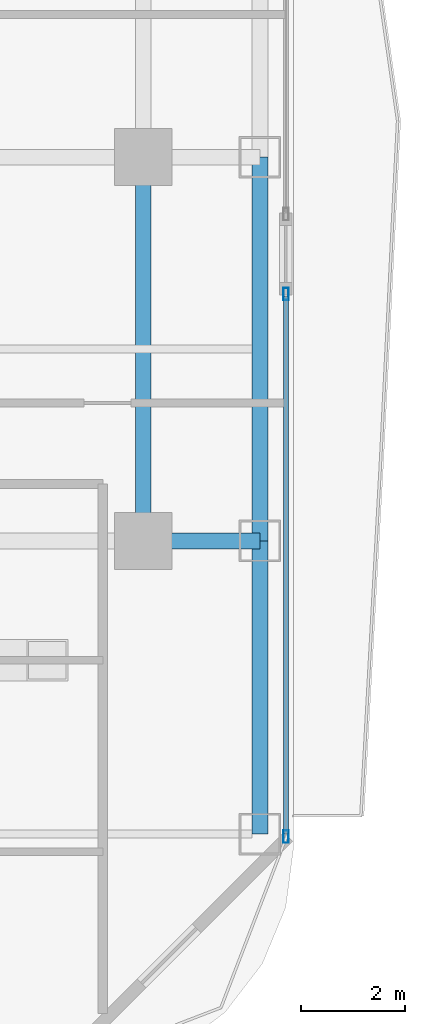
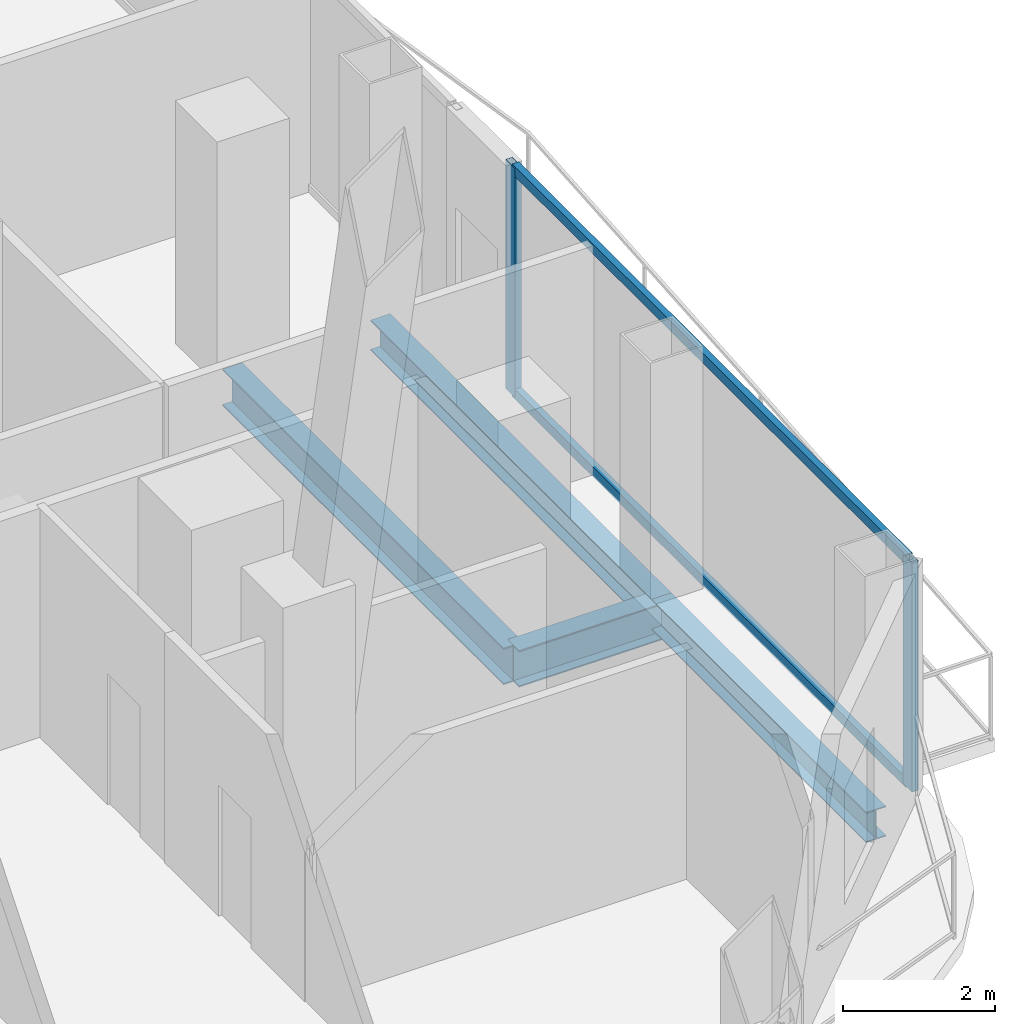
# One storey, part 10 of 33: 4 beams, 4 members, 1 element without a shape of its own.
"""IFC4 building model written with IfcOpenShell, lengths in metres."""

from ifc_helpers import new_model, si_unit, direction, frame, origin, origin_2d, place, context, subcontext, project, spatial, hollow_rectangle, i_section, extrude, material, layer, layer_set, material_profile, profile_set, type_object, element, aggregate, save


model = new_model("IFC4")

# Units and contexts
model_context = context("Model", 3, precision=1e-05, world=origin(), true_north=direction((0.0, 1.0)))
body_context = subcontext(model_context, "Body", "Model", "MODEL_VIEW")
ifc_project = project(units=[si_unit("LENGTHUNIT", "METRE"), si_unit("AREAUNIT", "SQUARE_METRE"), si_unit("VOLUMEUNIT", "CUBIC_METRE"), si_unit("PLANEANGLEUNIT", "RADIAN"), si_unit("MASSUNIT", "GRAM", prefix="KILO")], contexts=[model_context])

# Site, building, storey
site_placement = place(None, origin())
site = spatial("IfcSite", under=ifc_project, at=site_placement, CompositionType="ELEMENT")
building_placement = place(site_placement, origin())
building = spatial("IfcBuilding", under=site, at=building_placement, Name="Khorvyn Point Tower", CompositionType="ELEMENT")
storey_placement = place(building_placement, frame((0.0, 0.0, 65.699951171875)))
storey = spatial("IfcBuildingStorey", under=building, at=storey_placement, Name="L17", CompositionType="ELEMENT", Elevation=65.699951171875)

# Curtain wall, members
ifc_material_1 = material(Name="Anodised aluminium 6063-T6 and laminated Low-E glass", Category="aluminium")
ifc_layer = layer(ifc_material_1, 0.18994140625)
ifc_layer_set = layer_set([ifc_layer], Name="Stick-Built Finned Residential Curtain Wall CW-SYS-02")
curtain_wall_type = type_object("IfcCurtainWallType", Name="Stick-Built Finned Residential Curtain Wall CW-SYS-02", PredefinedType="NOTDEFINED", material=ifc_layer_set)
curtain_wall_placement = place(storey_placement, origin())
curtain_wall = element("IfcCurtainWall", 1, at=curtain_wall_placement, inside=storey, type_object=curtain_wall_type, Name="Curtain Wall", PredefinedType="NOTDEFINED")
ifc_material_2 = material(Name="Anodised aluminium 6063-T6", Category="aluminium")
ifc_material_profile_1 = material_profile(ifc_material_2, hollow_rectangle(XDim=0.10009765625, YDim=0.239990234375, WallThickness=0.0048828125, at=origin_2d()))
ifc_profile_set_1 = profile_set([ifc_material_profile_1], Name="Anodised aluminium 6063-T6 ALU-MUL-100x240")
member_type_1 = type_object("IfcMemberType", Name="Anodised Aluminium 6063-T6 Mullion ALU-MUL-100x240", PredefinedType="MULLION", material=ifc_profile_set_1)
member_1_placement = place(storey_placement, frame((22.14990234375, -10.0380859375, 0.0), z_axis=(0.0, 0.0, 1.0), x_axis=(1.0, 0.0, 0.0)))
member_1 = element("IfcMember", 2, at=member_1_placement, type_object=member_type_1, Name="Transom", PredefinedType="MULLION", context=body_context, shape_type="SweptSolid", body=[
    extrude(hollow_rectangle(XDim=0.10009765625, YDim=0.239990234375, WallThickness=0.0048828125, at=origin_2d()), origin(), (0.0, 0.0, 1.0), 3.679931640625),
])
member_2_placement = place(storey_placement, frame((22.14990234375, -20.5, 0.0), z_axis=(0.0, 0.0, 1.0), x_axis=(1.0, 0.0, 0.0)))
member_2 = element("IfcMember", 3, at=member_2_placement, type_object=member_type_1, Name="Transom", PredefinedType="MULLION", context=body_context, shape_type="SweptSolid", body=[
    extrude(hollow_rectangle(XDim=0.10009765625, YDim=0.239990234375, WallThickness=0.0048828125, at=origin_2d()), origin(), (0.0, 0.0, 1.0), 3.679931640625),
])
ifc_material_profile_2 = material_profile(ifc_material_2, hollow_rectangle(XDim=0.10009765625, YDim=0.159912109375, WallThickness=0.00439453125, at=origin_2d()))
ifc_profile_set_2 = profile_set([ifc_material_profile_2], Name="Anodised aluminium 6063-T6 ALU-TRN-100x160")
member_type_2 = type_object("IfcMemberType", Name="Anodised Aluminium 6063-T6 Transom ALU-TRN-100x160", PredefinedType="USERDEFINED", material=ifc_profile_set_2)
member_3_placement = place(storey_placement, frame((22.14990234375, -10.087890625, 0.050048828125), z_axis=(0.0, -1.0, 0.0), x_axis=(1.0, 0.0, 0.0)))
member_3 = element("IfcMember", 4, at=member_3_placement, type_object=member_type_2, Name="Transom", ObjectType="TRANSOM", PredefinedType="USERDEFINED", context=body_context, shape_type="SweptSolid", body=[
    extrude(hollow_rectangle(XDim=0.10009765625, YDim=0.159912109375, WallThickness=0.00439453125, at=origin_2d()), origin(), (0.0, 0.0, 1.0), 10.362060546875),
])
member_4_placement = place(storey_placement, frame((22.14990234375, -10.087890625, 3.630126953125), z_axis=(0.0, -1.0, 0.0), x_axis=(1.0, 0.0, 0.0)))
member_4 = element("IfcMember", 5, at=member_4_placement, type_object=member_type_2, Name="Transom", ObjectType="TRANSOM", PredefinedType="USERDEFINED", context=body_context, shape_type="SweptSolid", body=[
    extrude(hollow_rectangle(XDim=0.10009765625, YDim=0.159912109375, WallThickness=0.00439453125, at=origin_2d()), origin(), (0.0, 0.0, 1.0), 10.362060546875),
])
aggregate(curtain_wall, [member_1, member_2, member_3, member_4])

# Beams
ifc_material_3 = material(Name="Steel S355", Category="steel")
ifc_material_profile_3 = material_profile(ifc_material_3, i_section(OverallWidth=0.300048828125, OverallDepth=0.587890625, WebThickness=0.011962890625, FlangeThickness=0.02001953125, at=origin_2d()))
ifc_profile_set_3 = profile_set([ifc_material_profile_3], Name="Steel S355 H588x300x12x20")
beam_type_1 = type_object("IfcBeamType", Name="Steel S355 Beam H588x300x12x20", PredefinedType="BEAM", material=ifc_profile_set_3)
beam_1_placement = place(storey_placement, frame((19.39990234375, -14.800048828125, -0.513916015625), z_axis=(1.0, 0.0, 0.0), x_axis=(0.0, 1.0, 0.0)))
element("IfcBeam", 6, at=beam_1_placement, inside=storey, type_object=beam_type_1, Name="Beam", PredefinedType="BEAM", context=body_context, shape_type="SweptSolid", body=[
    extrude(i_section(OverallWidth=0.300048828125, OverallDepth=0.587890625, WebThickness=0.011962890625, FlangeThickness=0.02001953125, at=origin_2d()), origin(), (0.0, 0.0, 1.0), 2.25),
])
beam_2_placement = place(storey_placement, frame((19.39990234375, -14.800048828125, -0.513916015625), z_axis=(0.0, 1.0, 0.0), x_axis=(-1.0, 0.0, 0.0)))
element("IfcBeam", 7, at=beam_2_placement, inside=storey, type_object=beam_type_1, Name="Beam", PredefinedType="BEAM", context=body_context, shape_type="SweptSolid", body=[
    extrude(i_section(OverallWidth=0.300048828125, OverallDepth=0.587890625, WebThickness=0.011962890625, FlangeThickness=0.02001953125, at=origin_2d()), origin(), (0.0, 0.0, 1.0), 7.400146484375),
])
ifc_material_profile_4 = material_profile(ifc_material_3, i_section(OverallWidth=0.300048828125, OverallDepth=0.488037109375, WebThickness=0.010986328125, FlangeThickness=0.01806640625, at=origin_2d()))
ifc_profile_set_4 = profile_set([ifc_material_profile_4], Name="Steel S355 H488x300x11x18")
beam_type_2 = type_object("IfcBeamType", Name="Steel S355 Spandrel H488x300x11x18", PredefinedType="SPANDREL", material=ifc_profile_set_4)
beam_3_placement = place(storey_placement, frame((21.64990234375, -20.449951171875, -0.4638671875), z_axis=(0.0, 1.0, 0.0), x_axis=(-1.0, 0.0, 0.0)))
element("IfcBeam", 8, at=beam_3_placement, inside=storey, type_object=beam_type_2, Name="Beam", PredefinedType="SPANDREL", context=body_context, shape_type="SweptSolid", body=[
    extrude(i_section(OverallWidth=0.300048828125, OverallDepth=0.488037109375, WebThickness=0.010986328125, FlangeThickness=0.01806640625, at=origin_2d()), origin(), (0.0, 0.0, 1.0), 5.64990234375),
])
beam_4_placement = place(storey_placement, frame((21.64990234375, -14.800048828125, -0.4638671875), z_axis=(0.0, 1.0, 0.0), x_axis=(-1.0, 0.0, 0.0)))
element("IfcBeam", 9, at=beam_4_placement, inside=storey, type_object=beam_type_2, Name="Beam", PredefinedType="SPANDREL", context=body_context, shape_type="SweptSolid", body=[
    extrude(i_section(OverallWidth=0.300048828125, OverallDepth=0.488037109375, WebThickness=0.010986328125, FlangeThickness=0.01806640625, at=origin_2d()), origin(), (0.0, 0.0, 1.0), 7.400146484375),
])

save(model, "model.ifc")
